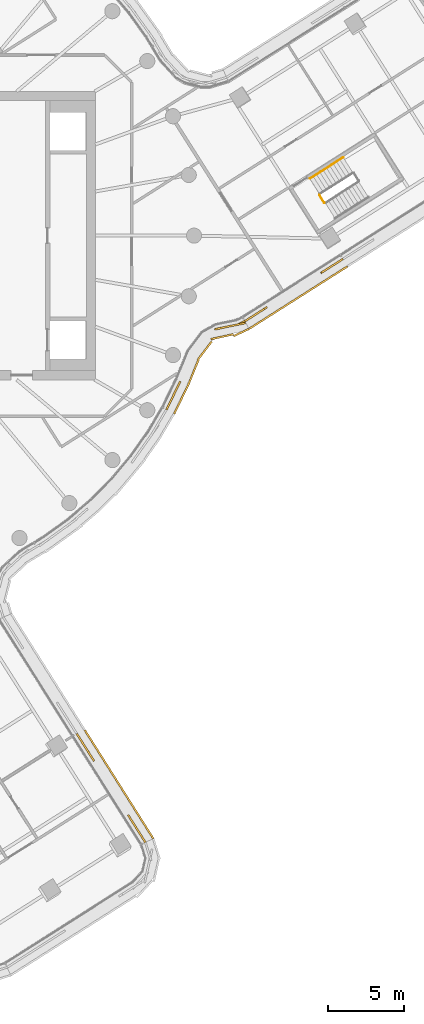
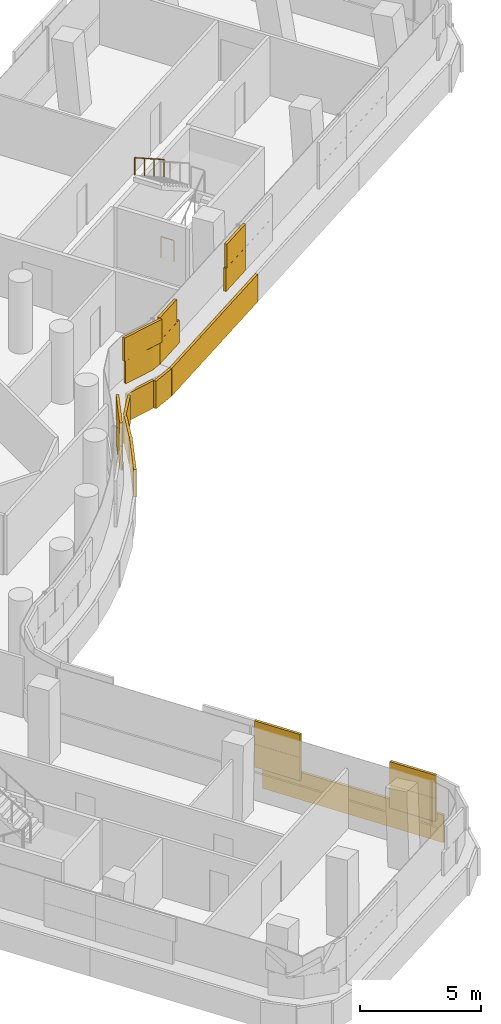
# One storey, part 33 of 36: 3 coverings, 2 railings.
"""IFC4 building model written with IfcOpenShell, lengths in metres."""

import ifcopenshell
import ifcopenshell.guid

model = None  # the IFC model being written
_history = None  # IfcOwnerHistory: only IFC2X3 demands one
_inside = {}  # id of a spatial element -> (the spatial element, [elements in it])
_under = {}  # id of a project, library or spatial element -> (it, [spatial elements below it])
_declared = {}  # id of a project -> (the project, [libraries it declares])
_typed = {}  # id of a type object -> (the type object, [elements of that type])
_made_of = {}  # id of a material, layer set ... -> (it, [elements and type objects made of it])


def new_model(schema):
    """Start an empty IFC model of exactly this schema.

    Asked for "IFC4X3", IfcOpenShell would pick the latest addendum, in which some entities
    have other attributes; the version numbers below select the first issue.
    IFC2X3 requires an IfcOwnerHistory on every rooted entity: one is made here for all.
    """
    global model, _history
    if schema == "IFC4X3":
        model = ifcopenshell.file(schema_version=(4, 3, 0, 0))
    else:
        model = ifcopenshell.file(schema=schema)
    _inside.clear()
    _under.clear()
    _declared.clear()
    _typed.clear()
    _made_of.clear()
    _history = None
    if model.schema == "IFC2X3":
        org = make("IfcOrganization", Name="unknown")
        user = make(
            "IfcPersonAndOrganization",
            ThePerson=make("IfcPerson", FamilyName="unknown"),
            TheOrganization=org,
        )
        app = make(
            "IfcApplication",
            ApplicationDeveloper=org,
            Version="unknown",
            ApplicationFullName="unknown",
            ApplicationIdentifier="unknown",
        )
        _history = make(
            "IfcOwnerHistory",
            OwningUser=user,
            OwningApplication=app,
            ChangeAction="ADDED",
            CreationDate=0,
        )
    return model


def make(cls, **values):
    """One entity of the class cls with the attributes given. An attribute that is None is left unset."""
    return model.create_entity(
        cls, **{name: value for name, value in values.items() if value is not None}
    )


def rooted(cls, **values):
    """An entity with a GlobalId (a new one), such as an element, a storey or a relation."""
    return make(cls, GlobalId=ifcopenshell.guid.new(), OwnerHistory=_history, **values)


def si_unit(unit_type, name, prefix=None):
    """IfcSIUnit, for example si_unit("LENGTHUNIT", "METRE", prefix="MILLI")."""
    return make("IfcSIUnit", UnitType=unit_type, Prefix=prefix, Name=name)


def assignment(units):
    """IfcUnitAssignment: the units of a project."""
    return None if units is None else make("IfcUnitAssignment", Units=units)


def point(xyz):
    """IfcCartesianPoint."""
    return None if xyz is None else make("IfcCartesianPoint", Coordinates=xyz)


def direction(xyz):
    """IfcDirection."""
    return None if xyz is None else make("IfcDirection", DirectionRatios=xyz)


def frame(location, z_axis=None, x_axis=None):
    """IfcAxis2Placement3D, a coordinate frame: its origin and axes. An axis left out is left unset."""
    return make(
        "IfcAxis2Placement3D",
        Location=point(location),
        Axis=direction(z_axis),
        RefDirection=direction(x_axis),
    )


def frame_2d(location, x_axis=None):
    """IfcAxis2Placement2D, a coordinate frame in the plane: its origin and x axis."""
    return make(
        "IfcAxis2Placement2D", Location=point(location), RefDirection=direction(x_axis)
    )


def origin():
    """The frame at (0, 0, 0) with its axes left unset."""
    return frame((0.0, 0.0, 0.0))


def origin_2d():
    """The frame at (0, 0) in the plane with its x axis left unset."""
    return frame_2d((0.0, 0.0))


def place(relative_to, where):
    """IfcLocalPlacement: puts the frame where relative to a parent placement (None: the world)."""
    return make(
        "IfcLocalPlacement", PlacementRelTo=relative_to, RelativePlacement=where
    )


def context(
    kind, dimensions, precision=None, world=None, true_north=None, identifier=None
):
    """IfcGeometricRepresentationContext, for example the 3D "Model" context."""
    return make(
        "IfcGeometricRepresentationContext",
        ContextIdentifier=identifier,
        ContextType=kind,
        CoordinateSpaceDimension=dimensions,
        Precision=precision,
        WorldCoordinateSystem=world,
        TrueNorth=true_north,
    )


def subcontext(parent, identifier, kind, view, scale=None):
    """IfcGeometricRepresentationSubContext, for example "Body" below "Model"."""
    return make(
        "IfcGeometricRepresentationSubContext",
        ContextIdentifier=identifier,
        ContextType=kind,
        ParentContext=parent,
        TargetScale=scale,
        TargetView=view,
    )


def project(units=None, contexts=None):
    """IfcProject with its units and contexts."""
    return rooted(
        "IfcProject",
        Name="project",
        RepresentationContexts=contexts,
        UnitsInContext=assignment(units),
    )


def spatial(cls, under=None, at=None, **own):
    """A site, building, storey or space (cls), placed at a placement, below another one or the project."""
    s = rooted(cls, ObjectPlacement=at, **own)
    if under is not None:
        _under.setdefault(under.id(), (under, []))[1].append(s)
    return s


def profile(cls, at=None, kind="AREA", **sizes):
    """A parametric profile (cls). Its sizes go by their IFC names, for example OverallWidth=200.0."""
    return make(cls, ProfileType=kind, Position=at, **sizes)


def rectangle(**sizes):
    """IfcRectangleProfileDef."""
    return profile("IfcRectangleProfileDef", **sizes)


def circle(**sizes):
    """IfcCircleProfileDef."""
    return profile("IfcCircleProfileDef", **sizes)


def extrude(swept, where, along, depth):
    """IfcExtrudedAreaSolid: the profile swept, set in the frame where, extruded along a direction by depth."""
    return make(
        "IfcExtrudedAreaSolid",
        SweptArea=swept,
        Position=where,
        ExtrudedDirection=direction(along),
        Depth=depth,
    )


def shape(context_of_items, identifier, shape_type, items):
    """IfcShapeRepresentation: the items that make up one representation, for example the "Body"."""
    return make(
        "IfcShapeRepresentation",
        ContextOfItems=context_of_items,
        RepresentationIdentifier=identifier,
        RepresentationType=shape_type,
        Items=items,
    )


def material(Name=None, Category=None):
    """IfcMaterial."""
    return make("IfcMaterial", Name=Name, Category=Category)


def layer(
    of_material, thickness, ventilated=None, Name=None, Category=None, Priority=None
):
    """IfcMaterialLayer: one layer of a wall or slab, of a material (None: an air gap)."""
    return make(
        "IfcMaterialLayer",
        Material=of_material,
        LayerThickness=thickness,
        IsVentilated=ventilated,
        Name=Name,
        Category=Category,
        Priority=Priority,
    )


def layer_set(layers, Name=None):
    """IfcMaterialLayerSet."""
    return make("IfcMaterialLayerSet", MaterialLayers=layers, LayerSetName=Name)


def made_of(thing, what):
    """Note that an element or type object is made of a material, layer set ...; save() writes the relation."""
    if what is not None:
        _made_of.setdefault(what.id(), (what, []))[1].append(thing)
    return thing


def type_object(cls, material=None, **own):
    """A type object (cls), such as IfcWallType, which elements share."""
    return made_of(rooted(cls, **own), material)


def element(
    cls,
    number,
    at=None,
    inside=None,
    cuts=None,
    type_object=None,
    material=None,
    context=None,
    identifier="Body",
    shape_type=None,
    held_by="IfcProductDefinitionShape",
    body=None,
    shapes=None,
    **own,
):
    """One element of the class cls, such as IfcWall. Its Tag is "e" and its number.

    at: its placement. inside: the storey or other place that contains it. cuts: it is an
    opening in that element (IfcRelVoidsElement). A single representation is given by context,
    identifier, shape_type and body (its items); several are given by shapes. held_by: the class
    of the entity that holds the representations. save() writes the other relations.
    """
    e = rooted(cls, Tag="e%d" % number, ObjectPlacement=at, **own)
    if body is not None:
        shapes = [shape(context, identifier, shape_type, body)]
    if shapes is not None:
        e.Representation = make(held_by, Representations=shapes)
    if inside is not None:
        _inside.setdefault(inside.id(), (inside, []))[1].append(e)
    if cuts is not None:
        rooted(
            "IfcRelVoidsElement", RelatingBuildingElement=cuts, RelatedOpeningElement=e
        )
    if type_object is not None:
        _typed.setdefault(type_object.id(), (type_object, []))[1].append(e)
    return made_of(e, material)


def aggregate(whole, parts):
    """IfcRelAggregates: a whole, such as a stair, and the parts it consists of."""
    return rooted("IfcRelAggregates", RelatingObject=whole, RelatedObjects=parts)


def save(model, path):
    """Write the relations noted so far, then the file.

    IfcRelAggregates (storeys below a building ...), IfcRelContainedInSpatialStructure (elements
    in a storey), IfcRelDefinesByType, IfcRelAssociatesMaterial and IfcRelDeclares: one each for
    every whole, place, type object, material and project.
    """
    for whole, parts in _under.values():
        aggregate(whole, parts)
    for where, things in _inside.values():
        rooted(
            "IfcRelContainedInSpatialStructure",
            RelatedElements=things,
            RelatingStructure=where,
        )
    for kind, things in _typed.values():
        rooted("IfcRelDefinesByType", RelatedObjects=things, RelatingType=kind)
    for what, things in _made_of.values():
        rooted("IfcRelAssociatesMaterial", RelatedObjects=things, RelatingMaterial=what)
    for by, libraries in _declared.values():
        rooted("IfcRelDeclares", RelatingContext=by, RelatedDefinitions=libraries)
    model.write(path)


model = new_model("IFC4")

# Units and contexts
model_context = context("Model", 3, precision=1e-05, world=origin(), true_north=direction((0.0, 1.0)))
body_context = subcontext(model_context, "Body", "Model", "MODEL_VIEW")
ifc_project = project(units=[si_unit("LENGTHUNIT", "METRE"), si_unit("AREAUNIT", "SQUARE_METRE"), si_unit("VOLUMEUNIT", "CUBIC_METRE"), si_unit("PLANEANGLEUNIT", "RADIAN"), si_unit("MASSUNIT", "GRAM", prefix="KILO")], contexts=[model_context])

# Site, building, storey
site_placement = place(None, origin())
site = spatial("IfcSite", under=ifc_project, at=site_placement, CompositionType="ELEMENT")
building_placement = place(site_placement, origin())
building = spatial("IfcBuilding", under=site, at=building_placement, Name="Tamarind Cross Interchange Tower", CompositionType="ELEMENT")
storey_placement = place(building_placement, frame((0.0, 0.0, 151.75)))
storey = spatial("IfcBuildingStorey", under=building, at=storey_placement, Name="L37", CompositionType="ELEMENT", Elevation=151.75)

# Railings
ifc_material_1 = material(Name="Stair guard")
railing_type_1 = type_object("IfcRailingType", Name="Stair guard", PredefinedType="GUARDRAIL", material=ifc_material_1)
railing_1_placement = place(storey_placement, frame((31.57861328125, 2.168212890625, 0.0)))
element("IfcRailing", 1, at=railing_1_placement, inside=storey, type_object=railing_type_1, Name="L37 ST3 stair guard 4", PredefinedType="GUARDRAIL", context=body_context, shape_type="SweptSolid", body=[
    extrude(circle(Radius=0.02392578125, at=origin_2d()), frame((0.0, 0.0, 1.076171875), z_axis=(-0.535584501074, 0.844481641132, 0.0), x_axis=(-0.844481641132, -0.535584501074, 0.0)), (0.0, 0.0, 1.0), 0.599853515625),
    extrude(circle(Radius=0.02099609375, at=origin_2d()), origin(), (0.0, 0.0, 1.0), 1.052001953125),
    extrude(circle(Radius=0.02099609375, at=origin_2d()), frame((-0.3212890625, 0.506591796875, 0.0)), (0.0, 0.0, 1.0), 1.052001953125),
])
ifc_material_2 = material(Name="Stair handrail")
railing_type_2 = type_object("IfcRailingType", Name="Stair handrail", PredefinedType="HANDRAIL", material=ifc_material_2)
railing_2_placement = place(storey_placement, frame((32.825439453125, 5.14990234375, 2.04541015625)))
element("IfcRailing", 2, at=railing_2_placement, inside=storey, type_object=railing_type_2, Name="L37 ST3 stair handrail 2", PredefinedType="HANDRAIL", context=body_context, shape_type="SweptSolid", body=[
    extrude(circle(Radius=0.02392578125, at=origin_2d()), frame((0.0, 0.0, 0.8759765625), z_axis=(-0.706212529549, -0.44793019777, 0.548290434928), x_axis=(0.535617160796, -0.8444609269, 0.0)), (0.0, 0.0, 1.0), 3.10888671875),
    extrude(circle(Radius=0.02099609375, at=origin_2d()), origin(), (0.0, 0.0, 1.0), 0.851806640625),
    extrude(circle(Radius=0.02099609375, at=origin_2d()), frame((-0.73193359375, -0.464111328125, 0.568115234375)), (0.0, 0.0, 1.0), 0.851806640625),
    extrude(circle(Radius=0.02099609375, at=origin_2d()), frame((-1.463623046875, -0.928466796875, 1.136474609375)), (0.0, 0.0, 1.0), 0.851806640625),
    extrude(circle(Radius=0.02099609375, at=origin_2d()), frame((-2.195556640625, -1.392578125, 1.70458984375)), (0.0, 0.0, 1.0), 0.851806640625),
])

# Coverings
ifc_material_3 = material(Name="Terracotta", Category="masonry")
ifc_layer = layer(ifc_material_3, 0.1201171875)
ifc_layer_set = layer_set([ifc_layer], Name="Terracotta")
covering_type = type_object("IfcCoveringType", Name="Terracotta baguette screen unit", PredefinedType="MOLDING", material=ifc_layer_set)
covering_1_placement = place(storey_placement, origin())
element("IfcCovering", 3, at=covering_1_placement, inside=storey, type_object=covering_type, Name="SCR-L37-09-00", PredefinedType="MOLDING", context=body_context, shape_type="SweptSolid", body=[
    extrude(rectangle(XDim=0.760009765625, YDim=0.1201171875, at=origin_2d()), frame((19.591796875, -39.6474609375, 1.404052734375), z_axis=(0.0, 0.0, 1.0), x_axis=(-0.533880613265, 0.845559868241, 0.0)), (0.0, 0.0, 1.0), 1.1669921875),
    extrude(rectangle(XDim=1.3896484375, YDim=0.1201171875, at=origin_2d()), frame((19.023193359375, -38.7470703125, 1.404052734375), z_axis=(0.0, 0.0, 1.0), x_axis=(-0.533880613265, 0.845559868241, 0.0)), (0.0, 0.0, 1.0), 1.1669921875),
    extrude(rectangle(XDim=0.43017578125, YDim=0.1201171875, at=origin_2d()), frame((16.30029296875, -34.434814453125, 1.404052734375), z_axis=(0.0, 0.0, 1.0), x_axis=(-0.533880613265, 0.845559868241, 0.0)), (0.0, 0.0, 1.0), 1.1669921875),
    extrude(rectangle(XDim=1.52001953125, YDim=0.1201171875, at=origin_2d()), frame((15.787841796875, -33.622802734375, 1.404052734375), z_axis=(0.0, 0.0, 1.0), x_axis=(-0.533880613265, 0.845559868241, 0.0)), (0.0, 0.0, 1.0), 1.1669921875),
    extrude(rectangle(XDim=0.219482421875, YDim=0.1201171875, at=origin_2d()), frame((15.33154296875, -32.900146484375, 1.404052734375), z_axis=(0.0, 0.0, 1.0), x_axis=(-0.533880613265, 0.845559868241, 0.0)), (0.0, 0.0, 1.0), 1.1669921875),
    extrude(rectangle(XDim=1.510009765625, YDim=0.1201171875, at=origin_2d()), frame((19.3916015625, -39.330322265625, 2.5791015625), z_axis=(0.0, 0.0, 1.0), x_axis=(-0.533880613265, 0.845559868241, 0.0)), (0.0, 0.0, 1.0), 1.1669921875),
    extrude(rectangle(XDim=0.6396484375, YDim=0.1201171875, at=origin_2d()), frame((18.822998046875, -38.429931640625, 2.5791015625), z_axis=(0.0, 0.0, 1.0), x_axis=(-0.533880613265, 0.845559868241, 0.0)), (0.0, 0.0, 1.0), 1.1669921875),
    extrude(rectangle(XDim=1.18017578125, YDim=0.1201171875, at=origin_2d()), frame((16.10009765625, -34.11767578125, 2.5791015625), z_axis=(0.0, 0.0, 1.0), x_axis=(-0.533880613265, 0.845559868241, 0.0)), (0.0, 0.0, 1.0), 1.1669921875),
    extrude(rectangle(XDim=0.969482421875, YDim=0.1201171875, at=origin_2d()), frame((15.53173828125, -33.21728515625, 2.5791015625), z_axis=(0.0, 0.0, 1.0), x_axis=(-0.533880613265, 0.845559868241, 0.0)), (0.0, 0.0, 1.0), 1.1669921875),
    extrude(rectangle(XDim=0.760009765625, YDim=0.1201171875, at=origin_2d()), frame((20.114501953125, -39.400146484375, 0.00390625), z_axis=(0.0, 0.0, 1.0), x_axis=(-0.533880613265, 0.845559868241, 0.0)), (0.0, 0.0, 1.0), 1.39208984375),
    extrude(rectangle(XDim=1.52001953125, YDim=0.1201171875, at=origin_2d()), frame((19.516357421875, -38.453125, 0.00390625), z_axis=(0.0, 0.0, 1.0), x_axis=(-0.533880613265, 0.845559868241, 0.0)), (0.0, 0.0, 1.0), 1.39208984375),
    extrude(rectangle(XDim=1.52001953125, YDim=0.1201171875, at=origin_2d()), frame((18.715576171875, -37.184814453125, 0.00390625), z_axis=(0.0, 0.0, 1.0), x_axis=(-0.533880613265, 0.845559868241, 0.0)), (0.0, 0.0, 1.0), 1.39208984375),
    extrude(rectangle(XDim=1.52001953125, YDim=0.1201171875, at=origin_2d()), frame((17.914794921875, -35.91650390625, 0.00390625), z_axis=(0.0, 0.0, 1.0), x_axis=(-0.533880613265, 0.845559868241, 0.0)), (0.0, 0.0, 1.0), 1.39208984375),
    extrude(rectangle(XDim=1.52001953125, YDim=0.1201171875, at=origin_2d()), frame((17.114013671875, -34.648193359375, 0.00390625), z_axis=(0.0, 0.0, 1.0), x_axis=(-0.533880613265, 0.845559868241, 0.0)), (0.0, 0.0, 1.0), 1.39208984375),
    extrude(rectangle(XDim=1.52001953125, YDim=0.1201171875, at=origin_2d()), frame((16.313232421875, -33.3798828125, 0.00390625), z_axis=(0.0, 0.0, 1.0), x_axis=(-0.533880613265, 0.845559868241, 0.0)), (0.0, 0.0, 1.0), 1.39208984375),
    extrude(rectangle(XDim=0.2177734375, YDim=0.1201171875, at=origin_2d()), frame((15.85986328125, -32.662109375, 0.00390625), z_axis=(0.0, 0.0, 1.0), x_axis=(-0.533880613265, 0.845559868241, 0.0)), (0.0, 0.0, 1.0), 1.39208984375),
])
covering_2_placement = place(storey_placement, origin())
element("IfcCovering", 4, at=covering_2_placement, inside=storey, type_object=covering_type, Name="SCR-L37-10-01", PredefinedType="MOLDING", context=body_context, shape_type="SweptSolid", body=[
    extrude(rectangle(XDim=0.36181640625, YDim=0.1201171875, at=origin_2d()), frame((21.26611328125, -11.30224609375, 1.404052734375), z_axis=(0.0, 0.0, 1.0), x_axis=(0.435326231914, 0.900272776334, 0.0)), (0.0, 0.0, 1.0), 1.1669921875),
    extrude(rectangle(XDim=1.52001953125, YDim=0.1201171875, at=origin_2d()), frame((21.669189453125, -10.46875, 1.404052734375), z_axis=(0.0, 0.0, 1.0), x_axis=(0.435326231914, 0.900272776334, 0.0)), (0.0, 0.0, 1.0), 1.1669921875),
    extrude(rectangle(XDim=1.52001953125, YDim=0.1201171875, at=origin_2d()), frame((25.177978515625, -6.00146484375, 1.404052734375), z_axis=(0.0, 0.0, 1.0), x_axis=(0.980378658398, 0.197123530196, 0.0)), (0.0, 0.0, 1.0), 1.1669921875),
    extrude(rectangle(XDim=0.494384765625, YDim=0.1201171875, at=origin_2d()), frame((26.129150390625, -5.739501953125, 1.404052734375), z_axis=(0.0, 0.0, 1.0), x_axis=(0.907126299727, 0.420858499194, 0.0)), (0.0, 0.0, 1.0), 1.1669921875),
    extrude(rectangle(XDim=1.11181640625, YDim=0.1201171875, at=origin_2d()), frame((21.42919921875, -10.96484375, 2.5791015625), z_axis=(0.0, 0.0, 1.0), x_axis=(0.435326231914, 0.900272776334, 0.0)), (0.0, 0.0, 1.0), 1.1669921875),
    extrude(rectangle(XDim=0.976318359375, YDim=0.1201171875, at=origin_2d()), frame((21.87939453125, -10.033935546875, 2.5791015625), z_axis=(0.0, 0.0, 1.0), x_axis=(0.435326231914, 0.900272776334, 0.0)), (0.0, 0.0, 1.0), 1.1669921875),
    extrude(rectangle(XDim=0.84375, YDim=0.1201171875, at=origin_2d()), frame((24.7705078125, -6.088623046875, 2.5791015625), z_axis=(0.0, 0.0, 1.0), x_axis=(0.977408408362, 0.211359417255, 0.0)), (0.0, 0.0, 1.0), 1.1669921875),
    extrude(rectangle(XDim=1.244384765625, YDim=0.1201171875, at=origin_2d()), frame((25.783203125, -5.879638671875, 2.5791015625), z_axis=(0.0, 0.0, 1.0), x_axis=(0.980378658398, 0.197123530196, 0.0)), (0.0, 0.0, 1.0), 1.1669921875),
    extrude(rectangle(XDim=0.896728515625, YDim=0.1201171875, at=origin_2d()), frame((21.89013671875, -11.330322265625, 0.00390625), z_axis=(0.0, 0.0, 1.0), x_axis=(0.435326231914, 0.900272776334, 0.0)), (0.0, 0.0, 1.0), 1.39208984375),
    extrude(rectangle(XDim=1.52001953125, YDim=0.1201171875, at=origin_2d()), frame((22.407470703125, -10.260498046875, 0.00390625), z_axis=(0.0, 0.0, 1.0), x_axis=(0.435326231914, 0.900272776334, 0.0)), (0.0, 0.0, 1.0), 1.39208984375),
    extrude(rectangle(XDim=1.52001953125, YDim=0.1201171875, at=origin_2d()), frame((23.00439453125, -8.885009765625, 0.00390625), z_axis=(0.0, 0.0, 1.0), x_axis=(0.37958687543, 0.9251560971, 0.0)), (0.0, 0.0, 1.0), 1.39208984375),
    extrude(rectangle(XDim=1.52001953125, YDim=0.1201171875, at=origin_2d()), frame((23.70703125, -7.57373046875, 0.00390625), z_axis=(0.0, 0.0, 1.0), x_axis=(0.605671750906, 0.795714603457, 0.0)), (0.0, 0.0, 1.0), 1.39208984375),
    extrude(rectangle(XDim=1.52001953125, YDim=0.1201171875, at=origin_2d()), frame((24.844970703125, -6.659912109375, 0.00390625), z_axis=(0.0, 0.0, 1.0), x_axis=(0.977408408362, 0.211359417255, 0.0)), (0.0, 0.0, 1.0), 1.39208984375),
    extrude(rectangle(XDim=1.12451171875, YDim=0.1201171875, at=origin_2d()), frame((26.114501953125, -6.379150390625, 0.00390625), z_axis=(0.0, 0.0, 1.0), x_axis=(0.907126299727, 0.420858499194, 0.0)), (0.0, 0.0, 1.0), 1.39208984375),
])
covering_3_placement = place(storey_placement, origin())
element("IfcCovering", 5, at=covering_3_placement, inside=storey, type_object=covering_type, Name="SCR-L37-11-00", PredefinedType="MOLDING", context=body_context, shape_type="SweptSolid", body=[
    extrude(rectangle(XDim=0.760009765625, YDim=0.1201171875, at=origin_2d()), frame((26.665283203125, -5.436767578125, 1.404052734375), z_axis=(0.0, 0.0, 1.0), x_axis=(0.844432651118, 0.535661738157, 0.0)), (0.0, 0.0, 1.0), 1.1669921875),
    extrude(rectangle(XDim=0.983642578125, YDim=0.1201171875, at=origin_2d()), frame((27.39306640625, -4.97509765625, 1.404052734375), z_axis=(0.0, 0.0, 1.0), x_axis=(0.844432651118, 0.535661738157, 0.0)), (0.0, 0.0, 1.0), 1.1669921875),
    extrude(rectangle(XDim=0.83642578125, YDim=0.1201171875, at=origin_2d()), frame((31.69970703125, -2.2431640625, 1.404052734375), z_axis=(0.0, 0.0, 1.0), x_axis=(0.844432651118, 0.535661738157, 0.0)), (0.0, 0.0, 1.0), 1.1669921875),
    extrude(rectangle(XDim=0.906982421875, YDim=0.1201171875, at=origin_2d()), frame((32.427490234375, -1.781494140625, 1.404052734375), z_axis=(0.0, 0.0, 1.0), x_axis=(0.844432651118, 0.535661738157, 0.0)), (0.0, 0.0, 1.0), 1.1669921875),
    extrude(rectangle(XDim=1.510009765625, YDim=0.1201171875, at=origin_2d()), frame((26.98193359375, -5.23583984375, 2.5791015625), z_axis=(0.0, 0.0, 1.0), x_axis=(0.844432651118, 0.535661738157, 0.0)), (0.0, 0.0, 1.0), 1.1669921875),
    extrude(rectangle(XDim=1.52001953125, YDim=0.1201171875, at=origin_2d()), frame((32.048583984375, -2.02197265625, 2.5791015625), z_axis=(0.0, 0.0, 1.0), x_axis=(0.844432651118, 0.535661738157, 0.0)), (0.0, 0.0, 1.0), 1.1669921875),
    extrude(rectangle(XDim=0.156982421875, YDim=0.1201171875, at=origin_2d()), frame((32.744140625, -1.580810546875, 2.5791015625), z_axis=(0.0, 0.0, 1.0), x_axis=(0.844432651118, 0.535661738157, 0.0)), (0.0, 0.0, 1.0), 1.1669921875),
    extrude(rectangle(XDim=0.760009765625, YDim=0.1201171875, at=origin_2d()), frame((26.9453125, -5.93896484375, 0.00390625), z_axis=(0.0, 0.0, 1.0), x_axis=(0.844432651118, 0.535661738157, 0.0)), (0.0, 0.0, 1.0), 1.39208984375),
    extrude(rectangle(XDim=1.52001953125, YDim=0.1201171875, at=origin_2d()), frame((27.89111328125, -5.3388671875, 0.00390625), z_axis=(0.0, 0.0, 1.0), x_axis=(0.844432651118, 0.535661738157, 0.0)), (0.0, 0.0, 1.0), 1.39208984375),
    extrude(rectangle(XDim=1.52001953125, YDim=0.1201171875, at=origin_2d()), frame((29.15771484375, -4.535400390625, 0.00390625), z_axis=(0.0, 0.0, 1.0), x_axis=(0.844432651118, 0.535661738157, 0.0)), (0.0, 0.0, 1.0), 1.39208984375),
    extrude(rectangle(XDim=1.52001953125, YDim=0.1201171875, at=origin_2d()), frame((30.42431640625, -3.73193359375, 0.00390625), z_axis=(0.0, 0.0, 1.0), x_axis=(0.844432651118, 0.535661738157, 0.0)), (0.0, 0.0, 1.0), 1.39208984375),
    extrude(rectangle(XDim=1.52001953125, YDim=0.1201171875, at=origin_2d()), frame((31.69091796875, -2.928466796875, 0.00390625), z_axis=(0.0, 0.0, 1.0), x_axis=(0.844432651118, 0.535661738157, 0.0)), (0.0, 0.0, 1.0), 1.39208984375),
    extrude(rectangle(XDim=0.941650390625, YDim=0.1201171875, at=origin_2d()), frame((32.71337890625, -2.27978515625, 0.00390625), z_axis=(0.0, 0.0, 1.0), x_axis=(0.844432651118, 0.535661738157, 0.0)), (0.0, 0.0, 1.0), 1.39208984375),
])

save(model, "model.ifc")
